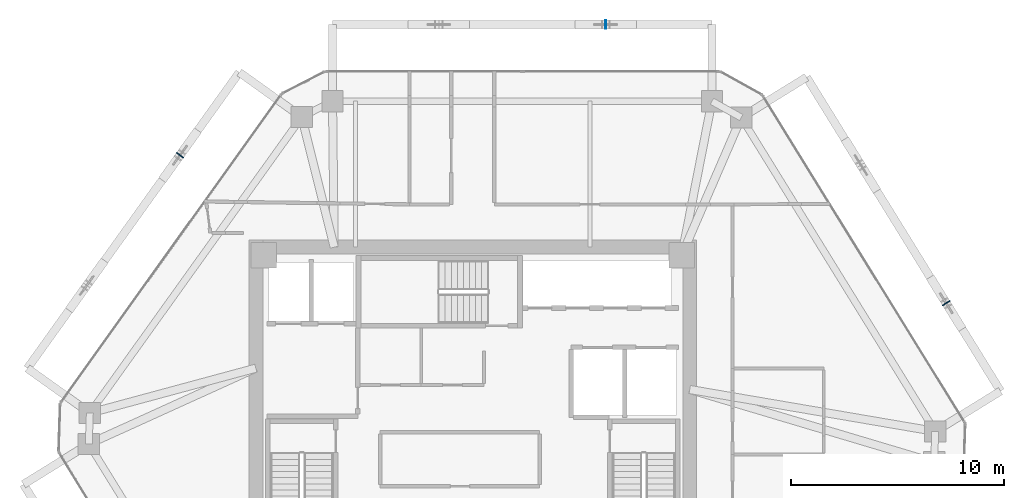
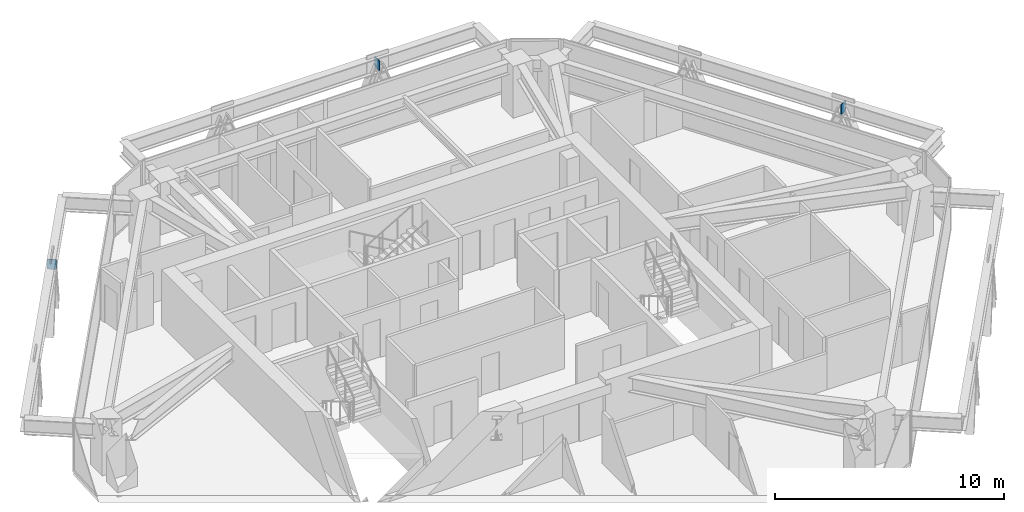
# One storey, part 9 of 14: 3 plates.
"""IFC4 building model written with IfcOpenShell, lengths in metres."""

from ifc_helpers import new_model, si_unit, direction, frame, origin, origin_2d, place, context, subcontext, project, spatial, rectangle, extrude, source, transform, mapped, material, layer, layer_set, type_object, type_shapes, element, save


model = new_model("IFC4")

# Units and contexts
model_context = context("Model", 3, precision=1e-05, world=origin(), true_north=direction((0.0, 1.0)))
body_context = subcontext(model_context, "Body", "Model", "MODEL_VIEW")
ifc_project = project(units=[si_unit("LENGTHUNIT", "METRE"), si_unit("AREAUNIT", "SQUARE_METRE"), si_unit("VOLUMEUNIT", "CUBIC_METRE"), si_unit("PLANEANGLEUNIT", "RADIAN"), si_unit("MASSUNIT", "GRAM", prefix="KILO")], contexts=[model_context])

# Site, building, storey
site_placement = place(None, origin())
site = spatial("IfcSite", under=ifc_project, at=site_placement, CompositionType="ELEMENT")
building_placement = place(site_placement, origin())
building = spatial("IfcBuilding", under=site, at=building_placement, Name="Durnholm Broadcast Tower", CompositionType="ELEMENT")
storey_placement = place(building_placement, frame((0.0, 0.0, 200.199951171875)))
storey = spatial("IfcBuildingStorey", under=building, at=storey_placement, Name="L55", CompositionType="ELEMENT", Elevation=200.199951171875)

# Plates
ifc_material = material(Name="Steel ASTM A572 Grade 50", Category="steel")
ifc_layer = layer(ifc_material, 0.044921875)
ifc_layer_set = layer_set([ifc_layer], Name="Steel ASTM A572 Grade 50")
plate_type = type_object("IfcPlateType", Name="PLT-KN-STIF", PredefinedType="SHEET", material=ifc_layer_set)
shared_shape = source(origin(), body_context, "Body", "SweptSolid", [
    extrude(rectangle(XDim=0.044921875, YDim=0.419921875, at=origin_2d()), origin(), (0.0, 0.0, 1.0), 0.52001953125),
])
type_shapes(plate_type, [shared_shape])
for number, where, z_axis, x_axis, name in (
    (1, (22.202392578125, 5.546875, 1.74853515625), (0.0, 0.0, 1.0), (-0.525768608156, 0.850627633385, 0.0), "L55 welded diagrid node stiffener plate F3"),
    (2, (6.234619140625, 18.617919921875, 1.74853515625), (0.0, 0.0, 1.0), (-1.0, 0.0, 0.0), "L55 welded diagrid node stiffener plate F4"),
    (3, (-13.731689453125, 12.485595703125, 1.74853515625), (0.0, 0.0, 1.0), (-0.582122970157, -0.813100761047, 0.0), "L55 welded diagrid node stiffener plate F5"),
):
    element("IfcPlate", number, at=place(storey_placement, frame(where, z_axis=z_axis, x_axis=x_axis)), inside=storey, type_object=plate_type, Name=name, PredefinedType="SHEET", context=body_context, shape_type="MappedRepresentation", body=[
        mapped(shared_shape, transform((0.0, 0.0, 0.0), x_axis=(1.0, 0.0, 0.0), y_axis=(0.0, 1.0, 0.0), z_axis=(0.0, 0.0, 1.0), scale=1.0)),
    ])

save(model, "model.ifc")
